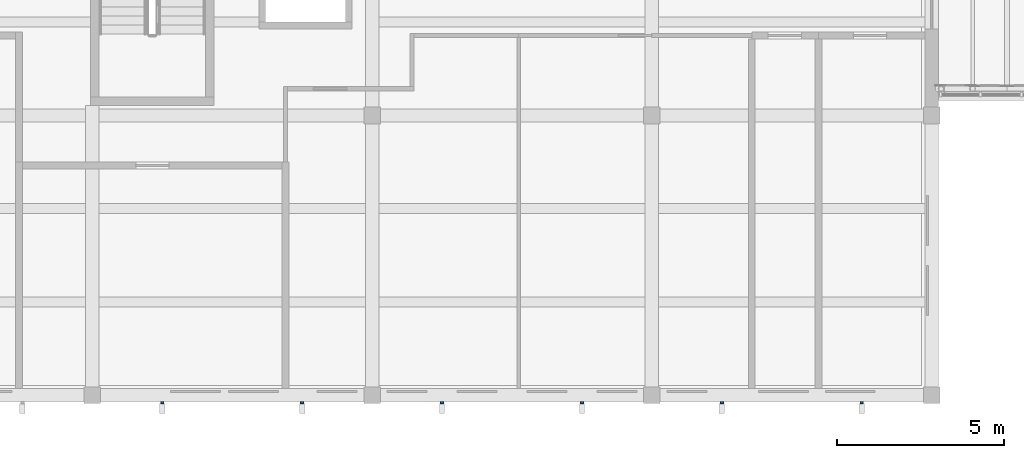
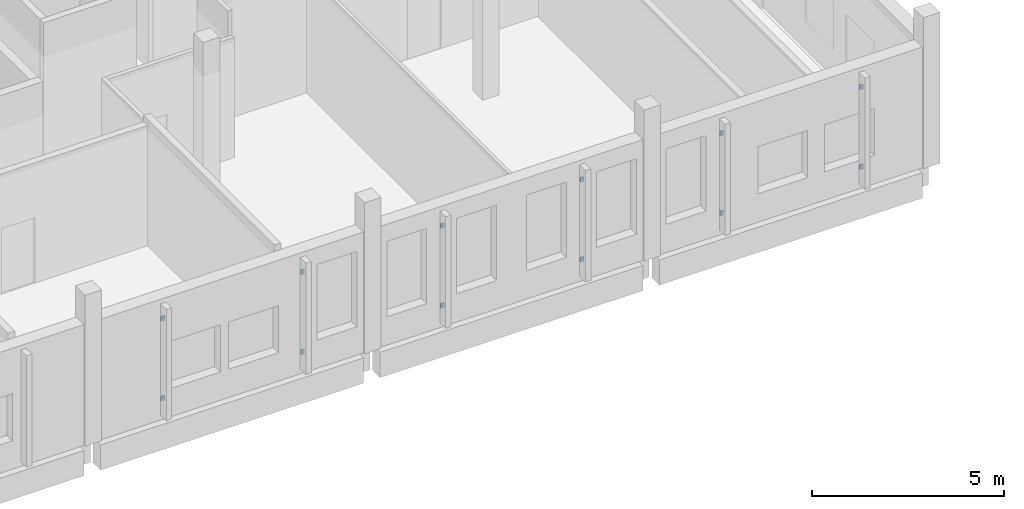
# One storey, part 78 of 119: 12 discrete accessories.
"""IFC4 building model written with IfcOpenShell, lengths in metres."""

from ifc_helpers import new_model, si_unit, direction, frame, origin, origin_2d, place, context, subcontext, project, spatial, rectangle, extrude, material, layer, layer_set, type_object, element, save


model = new_model("IFC4")

# Units and contexts
model_context = context("Model", 3, precision=1e-05, world=origin(), true_north=direction((0.0, 1.0)))
body_context = subcontext(model_context, "Body", "Model", "MODEL_VIEW")
ifc_project = project(units=[si_unit("LENGTHUNIT", "METRE"), si_unit("AREAUNIT", "SQUARE_METRE"), si_unit("VOLUMEUNIT", "CUBIC_METRE"), si_unit("PLANEANGLEUNIT", "RADIAN"), si_unit("MASSUNIT", "GRAM", prefix="KILO")], contexts=[model_context])

# Site, building, storey
site_placement = place(None, origin())
site = spatial("IfcSite", under=ifc_project, at=site_placement, CompositionType="ELEMENT")
building_placement = place(site_placement, origin())
building = spatial("IfcBuilding", under=site, at=building_placement, Name="Larchfold Concert Hall", CompositionType="ELEMENT")
storey_placement = place(building_placement, frame((0.0, 0.0, 4.800048828125)))
storey = spatial("IfcBuildingStorey", under=building, at=storey_placement, Name="L01", CompositionType="ELEMENT", Elevation=4.800048828125)

# Discrete accessories
ifc_material = material(Name="Steel S355 galvanised bracket", Category="steel")
ifc_layer = layer(ifc_material, 0.10009765625)
ifc_layer_set = layer_set([ifc_layer], Name="Steel S355 galvanised bracket")
discrete_accessory_type = type_object("IfcDiscreteAccessoryType", Name="Fin support bracket short", PredefinedType="BRACKET", material=ifc_layer_set)
for number, where, z_axis, x_axis, name in (
    (1, (36.300048828125, 0.375, 0.6298828125), (0.0, 0.0, 1.0), (0.0, -1.0, 0.0), "Fin bracket FN-L01-030-1"),
    (2, (36.300048828125, 0.375, 3.169921875), (0.0, 0.0, 1.0), (0.0, -1.0, 0.0), "Fin bracket FN-L01-030-2"),
    (3, (40.5, 0.375, 0.6298828125), (0.0, 0.0, 1.0), (0.0, -1.0, 0.0), "Fin bracket FN-L01-031-1"),
    (4, (40.5, 0.375, 3.169921875), (0.0, 0.0, 1.0), (0.0, -1.0, 0.0), "Fin bracket FN-L01-031-2"),
    (5, (44.699951171875, 0.375, 0.6298828125), (0.0, 0.0, 1.0), (0.0, -1.0, 0.0), "Fin bracket FN-L01-032-1"),
    (6, (44.699951171875, 0.375, 3.169921875), (0.0, 0.0, 1.0), (0.0, -1.0, 0.0), "Fin bracket FN-L01-032-2"),
    (7, (48.89990234375, 0.375, 0.6298828125), (0.0, 0.0, 1.0), (0.0, -1.0, 0.0), "Fin bracket FN-L01-033-1"),
    (8, (48.89990234375, 0.375, 3.169921875), (0.0, 0.0, 1.0), (0.0, -1.0, 0.0), "Fin bracket FN-L01-033-2"),
    (9, (53.10009765625, 0.375, 0.6298828125), (0.0, 0.0, 1.0), (0.0, -1.0, 0.0), "Fin bracket FN-L01-034-1"),
    (10, (53.10009765625, 0.375, 3.169921875), (0.0, 0.0, 1.0), (0.0, -1.0, 0.0), "Fin bracket FN-L01-034-2"),
    (11, (57.300048828125, 0.375, 0.6298828125), (0.0, 0.0, 1.0), (0.0, -1.0, 0.0), "Fin bracket FN-L01-035-1"),
    (12, (57.300048828125, 0.375, 3.169921875), (0.0, 0.0, 1.0), (0.0, -1.0, 0.0), "Fin bracket FN-L01-035-2"),
):
    element("IfcDiscreteAccessory", number, at=place(storey_placement, frame(where, z_axis=z_axis, x_axis=x_axis)), inside=storey, type_object=discrete_accessory_type, Name=name, PredefinedType="BRACKET", context=body_context, shape_type="SweptSolid", body=[
        extrude(rectangle(XDim=0.050048828125, YDim=0.10009765625, at=origin_2d()), origin(), (0.0, 0.0, 1.0), 0.139892578125),
    ])

save(model, "model.ifc")
